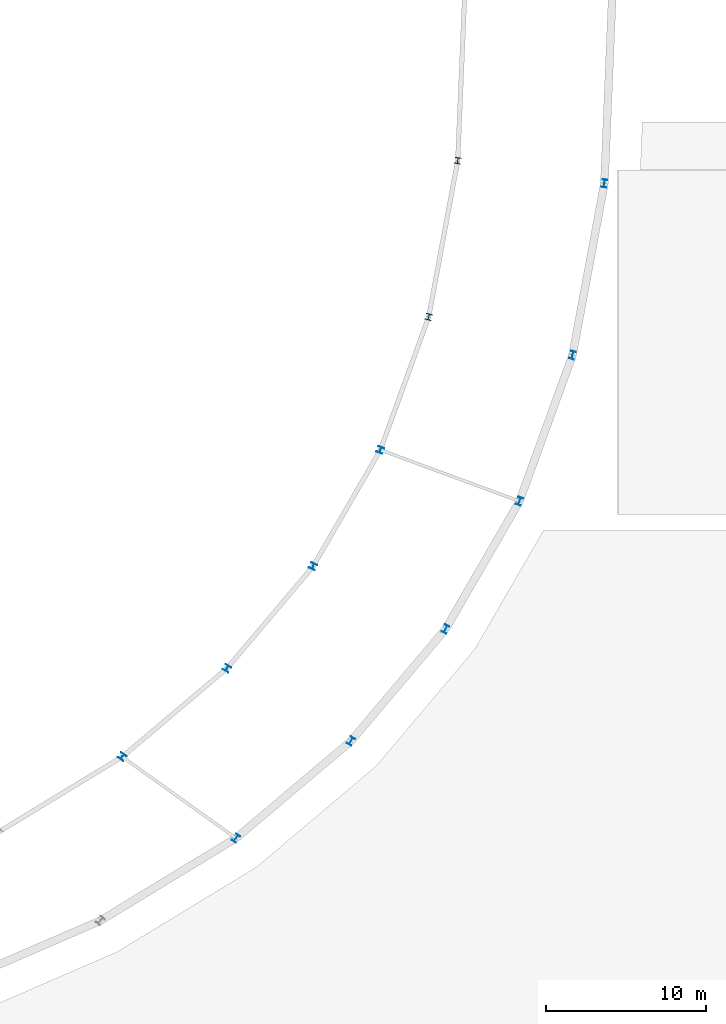
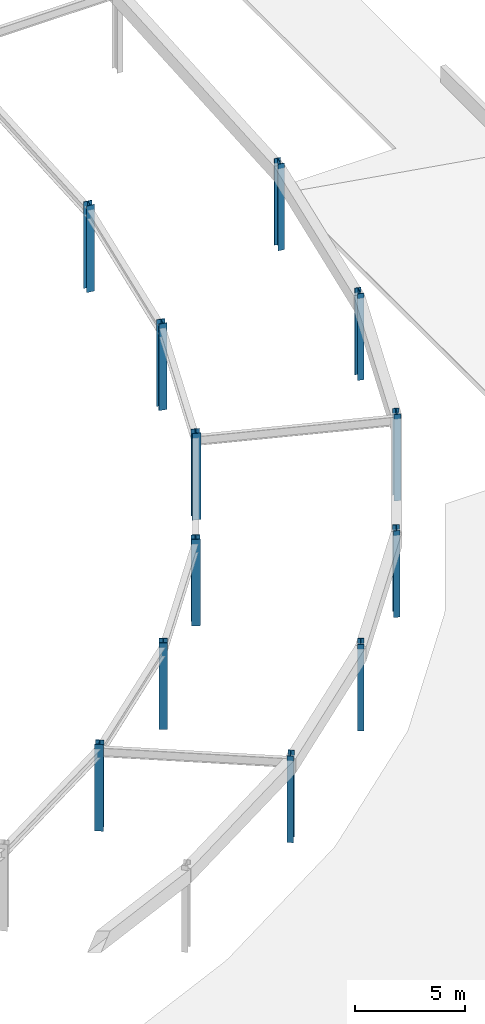
# One storey, part 6 of 45: 12 columns.
"""IFC4 building model written with IfcOpenShell, lengths in metres."""

from ifc_helpers import new_model, si_unit, direction, frame, origin, origin_2d, place, context, subcontext, project, spatial, i_section, extrude, material, material_profile, profile_set, type_object, element, save


model = new_model("IFC4")

# Units and contexts
model_context = context("Model", 3, precision=1e-05, world=origin(), true_north=direction((0.0, 1.0)))
body_context = subcontext(model_context, "Body", "Model", "MODEL_VIEW")
ifc_project = project(units=[si_unit("LENGTHUNIT", "METRE"), si_unit("AREAUNIT", "SQUARE_METRE"), si_unit("VOLUMEUNIT", "CUBIC_METRE"), si_unit("PLANEANGLEUNIT", "RADIAN"), si_unit("MASSUNIT", "GRAM", prefix="KILO")], contexts=[model_context])

# Site, building, storey
site_placement = place(None, origin())
site = spatial("IfcSite", under=ifc_project, at=site_placement, CompositionType="ELEMENT")
building_placement = place(site_placement, origin())
building = spatial("IfcBuilding", under=site, at=building_placement, Name="Mphavela Belvedere Stadium", CompositionType="ELEMENT")
storey_placement = place(building_placement, frame((0.0, 0.0, 24.0)))
storey = spatial("IfcBuildingStorey", under=building, at=storey_placement, Name="L05", CompositionType="ELEMENT", Elevation=24.0)

# Columns
ifc_material_1 = material(Name="Steel S355", Category="steel")
ifc_material_profile_1 = material_profile(ifc_material_1, i_section(OverallWidth=0.39501953125, OverallDepth=0.3798828125, WebThickness=0.0166015625, FlangeThickness=0.02587890625, at=origin_2d()), Name="HD 400x237")
ifc_profile_set_1 = profile_set([ifc_material_profile_1], Name="Steel S355")
column_type_1 = type_object("IfcColumnType", Name="COL-STEEL-HD400", PredefinedType="COLUMN", material=ifc_profile_set_1)
for number, where, z_axis, x_axis, name in (
    (1, (187.061279296875, 35.368408203125, 0.0), (0.0, 0.0, 1.0), (0.812897512265, -0.582406760395, 0.0), "Main bowl column L05 R3-43"),
    (2, (193.600341796875, 40.88623046875, 0.0), (0.0, 0.0, 1.0), (0.862513669207, -0.506033764121, 0.0), "Main bowl column L05 R3-44"),
    (3, (198.9755859375, 47.251708984375, 0.0), (0.0, 0.0, 1.0), (0.903858661687, -0.4278311813, 0.0), "Main bowl column L05 R3-45"),
    (4, (203.175537109375, 54.515625, 0.0), (0.0, 0.0, 1.0), (0.938372433776, -0.34562577382, 0.0), "Main bowl column L05 R3-46"),
    (5, (206.1875, 62.818115234375, 0.0), (0.0, 0.0, 1.0), (0.966600102017, -0.256289373133, 0.0), "Main bowl column L05 R3-47"),
    (6, (208.0, 72.5751953125, 0.0), (0.0, 0.0, 1.0), (0.98817491911, -0.153330783737, 0.0), "Main bowl column L05 R3-48"),
):
    element("IfcColumn", number, at=place(storey_placement, frame(where, z_axis=z_axis, x_axis=x_axis)), inside=storey, type_object=column_type_1, Name=name, PredefinedType="COLUMN", context=body_context, shape_type="SweptSolid", body=[
        extrude(i_section(OverallWidth=0.39501953125, OverallDepth=0.3798828125, WebThickness=0.0166015625, FlangeThickness=0.02587890625, at=origin_2d()), origin(), (0.0, 0.0, 1.0), 4.800048828125),
    ])
ifc_material_2 = material(Name="Steel S355", Category="steel")
ifc_material_profile_2 = material_profile(ifc_material_2, i_section(OverallWidth=0.300048828125, OverallDepth=0.5, WebThickness=0.014404296875, FlangeThickness=0.028076171875, at=origin_2d()), Name="HEB 500")
ifc_profile_set_2 = profile_set([ifc_material_profile_2], Name="Steel S355")
column_type_2 = type_object("IfcColumnType", Name="COL-STEEL-HEB500", PredefinedType="COLUMN", material=ifc_profile_set_2)
for number, where, z_axis, x_axis, name in (
    (7, (194.155517578125, 30.285400390625, 0.0), (0.0, 0.0, 1.0), (0.812897512265, -0.582406760395, 0.0), "Outer colonnade column L05 R4-43"),
    (8, (201.33837890625, 36.346435546875, 0.0), (0.0, 0.0, 1.0), (0.862513669207, -0.506033764121, 0.0), "Outer colonnade column L05 R4-44"),
    (9, (207.242431640625, 43.33837890625, 0.0), (0.0, 0.0, 1.0), (0.903858661687, -0.4278311813, 0.0), "Outer colonnade column L05 R4-45"),
    (10, (211.856201171875, 51.317626953125, 0.0), (0.0, 0.0, 1.0), (0.938372433776, -0.34562577382, 0.0), "Outer colonnade column L05 R4-46"),
    (11, (215.16455078125, 60.4375, 0.0), (0.0, 0.0, 1.0), (0.966600102017, -0.256289373133, 0.0), "Outer colonnade column L05 R4-47"),
    (12, (217.155517578125, 71.155029296875, 0.0), (0.0, 0.0, 1.0), (0.98817491911, -0.153330783737, 0.0), "Outer colonnade column L05 R4-48"),
):
    element("IfcColumn", number, at=place(storey_placement, frame(where, z_axis=z_axis, x_axis=x_axis)), inside=storey, type_object=column_type_2, Name=name, PredefinedType="COLUMN", context=body_context, shape_type="SweptSolid", body=[
        extrude(i_section(OverallWidth=0.300048828125, OverallDepth=0.5, WebThickness=0.014404296875, FlangeThickness=0.028076171875, at=origin_2d()), origin(), (0.0, 0.0, 1.0), 4.800048828125),
    ])

save(model, "model.ifc")
